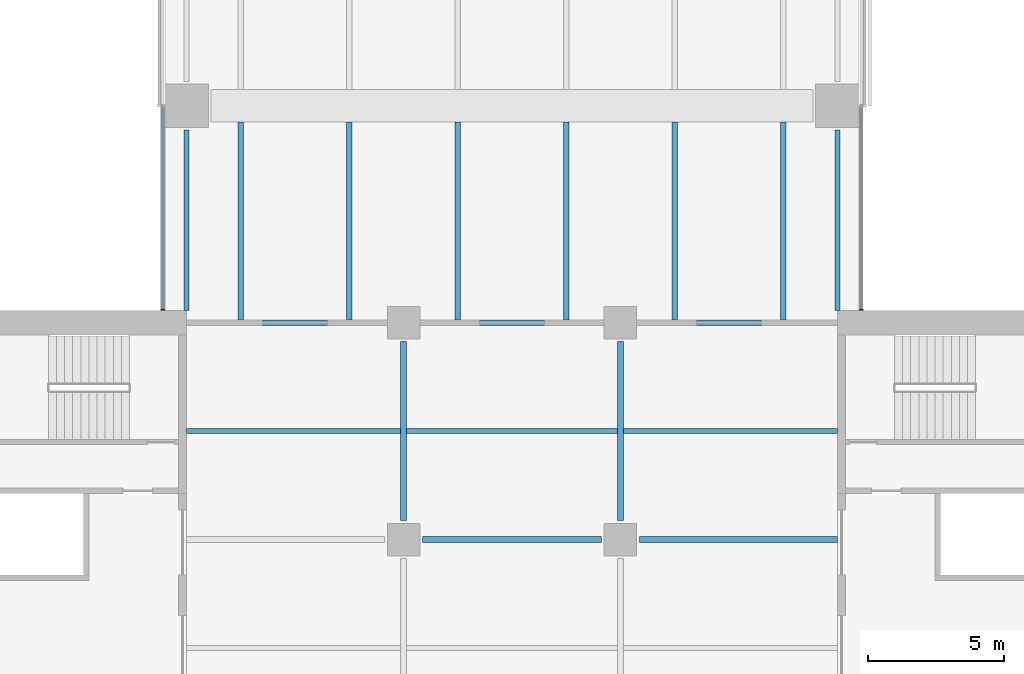
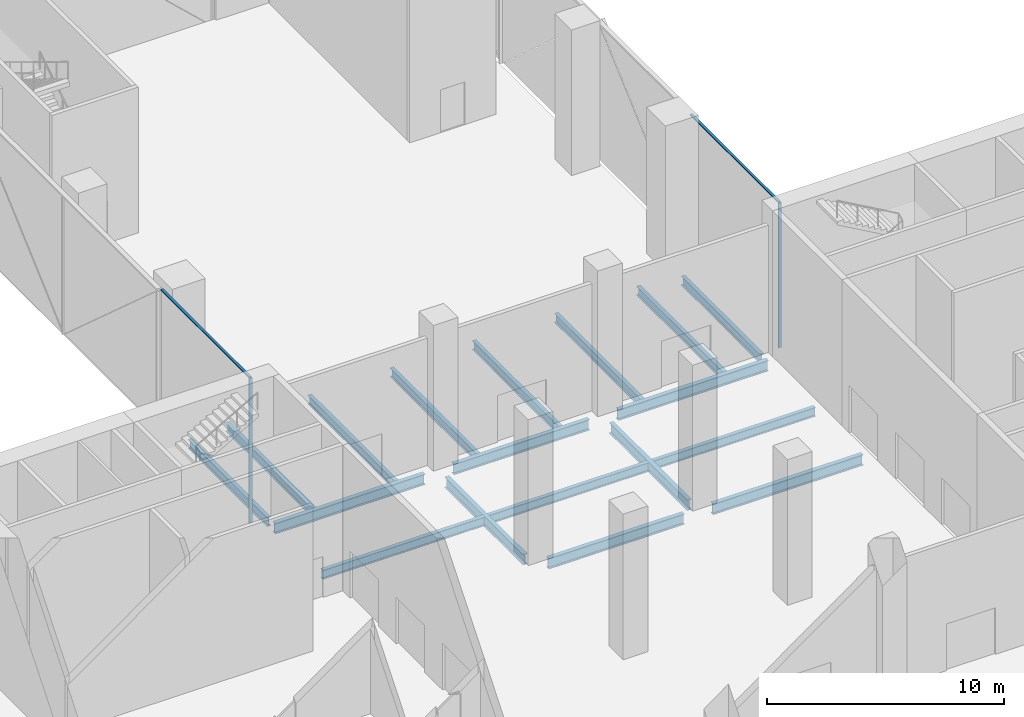
# One storey, part 6 of 25: 18 beams, 4 members, 2 elements without a shape of their own.
"""IFC4 building model written with IfcOpenShell, lengths in metres."""

from ifc_helpers import new_model, si_unit, direction, frame, origin, origin_2d, place, context, subcontext, project, spatial, rectangle, i_section, extrude, material, material_profile, profile_set, type_object, element, aggregate, save


model = new_model("IFC4")

# Units and contexts
model_context = context("Model", 3, precision=1e-05, world=origin(), true_north=direction((0.0, 1.0)))
body_context = subcontext(model_context, "Body", "Model", "MODEL_VIEW")
ifc_project = project(units=[si_unit("LENGTHUNIT", "METRE"), si_unit("AREAUNIT", "SQUARE_METRE"), si_unit("VOLUMEUNIT", "CUBIC_METRE"), si_unit("PLANEANGLEUNIT", "RADIAN"), si_unit("MASSUNIT", "GRAM", prefix="KILO")], contexts=[model_context])

# Site, building, storey
site_placement = place(None, origin())
site = spatial("IfcSite", under=ifc_project, at=site_placement, CompositionType="ELEMENT")
building_placement = place(site_placement, origin())
building = spatial("IfcBuilding", under=site, at=building_placement, Name="Crosswind Convention Tower", CompositionType="ELEMENT")
storey_placement = place(building_placement, frame((0.0, 0.0, 10.0)))
storey = spatial("IfcBuildingStorey", under=building, at=storey_placement, Name="L01", CompositionType="ELEMENT", Elevation=10.0)

# Beams
ifc_material_1 = material(Name="Steel S355", Category="steel")
ifc_material_profile_1 = material_profile(ifc_material_1, i_section(OverallWidth=0.19287109375, OverallDepth=0.467529296875, WebThickness=0.011474609375, FlangeThickness=0.01953125, FilletRadius=0.01025390625, at=origin_2d()), Name="UB 457x191x98")
ifc_profile_set_1 = profile_set([ifc_material_profile_1], Name="Steel S355")
beam_type_1 = type_object("IfcBeamType", Name="Edge beam UB 457x191x98", PredefinedType="SPANDREL", material=ifc_profile_set_1)
for number, where, z_axis, x_axis, name in (
    (1, (113.0, 112.449951171875, -0.6337890625), (0.0, 1.0, 0.0), (-1.0, 0.0, 0.0), "B20 L01 edge beam 9"),
    (2, (137.0, 112.449951171875, -0.6337890625), (0.0, 1.0, 0.0), (-1.0, 0.0, 0.0), "B20 L01 edge beam 17"),
):
    element("IfcBeam", number, at=place(storey_placement, frame(where, z_axis=z_axis, x_axis=x_axis)), inside=storey, type_object=beam_type_1, Name=name, PredefinedType="SPANDREL", context=body_context, shape_type="SweptSolid", body=[
        extrude(i_section(OverallWidth=0.19287109375, OverallDepth=0.467529296875, WebThickness=0.011474609375, FlangeThickness=0.01953125, FilletRadius=0.01025390625, at=origin_2d()), origin(), (0.0, 0.0, 1.0), 6.650146484375),
    ])
ifc_material_profile_2 = material_profile(ifc_material_1, i_section(OverallWidth=0.2119140625, OverallDepth=0.544677734375, WebThickness=0.0126953125, FlangeThickness=0.021240234375, FilletRadius=0.0126953125, at=origin_2d()), Name="UB 533x210x122")
ifc_profile_set_2 = profile_set([ifc_material_profile_2], Name="Steel S355")
beam_type_2 = type_object("IfcBeamType", Name="Girder UB 533x210x122", PredefinedType="BEAM", material=ifc_profile_set_2)
for number, where, z_axis, x_axis, name in (
    (3, (121.0, 104.699951171875, -0.67236328125), (0.0, 1.0, 0.0), (-1.0, 0.0, 0.0), "B6 L01 girder 3"),
    (4, (121.699951171875, 104.0, -0.67236328125), (1.0, 0.0, 0.0), (0.0, 1.0, 0.0), "B6 L01 girder 6"),
    (5, (121.699951171875, 112.0, -0.67236328125), (1.0, 0.0, 0.0), (0.0, 1.0, 0.0), "B6 L01 girder 7"),
    (6, (129.0, 104.699951171875, -0.67236328125), (0.0, 1.0, 0.0), (-1.0, 0.0, 0.0), "B6 L01 girder 10"),
):
    element("IfcBeam", number, at=place(storey_placement, frame(where, z_axis=z_axis, x_axis=x_axis)), inside=storey, type_object=beam_type_2, Name=name, PredefinedType="BEAM", context=body_context, shape_type="SweptSolid", body=[
        extrude(i_section(OverallWidth=0.2119140625, OverallDepth=0.544677734375, WebThickness=0.0126953125, FlangeThickness=0.021240234375, FilletRadius=0.0126953125, at=origin_2d()), origin(), (0.0, 0.0, 1.0), 6.60009765625),
    ])
ifc_material_profile_3 = material_profile(ifc_material_1, i_section(OverallWidth=0.214111328125, OverallDepth=0.549072265625, WebThickness=0.0146484375, FlangeThickness=0.023681640625, FilletRadius=0.0126953125, at=origin_2d()), Name="UB 533x210x138")
ifc_profile_set_3 = profile_set([ifc_material_profile_3], Name="Steel S355")
beam_type_3 = type_object("IfcBeamType", Name="Girder at core wall UB 533x210x138", PredefinedType="BEAM", material=ifc_profile_set_3)
for number, where, z_axis, x_axis, name in (
    (7, (113.0, 112.0, -0.674560546875), (1.0, 0.0, 0.0), (0.0, 1.0, 0.0), "B27 L01 girder at core wall 4"),
    (8, (129.699951171875, 104.0, -0.674560546875), (1.0, 0.0, 0.0), (0.0, 1.0, 0.0), "B27 L01 girder at core wall 7"),
    (9, (129.699951171875, 112.0, -0.674560546875), (1.0, 0.0, 0.0), (0.0, 1.0, 0.0), "B27 L01 girder at core wall 8"),
):
    element("IfcBeam", number, at=place(storey_placement, frame(where, z_axis=z_axis, x_axis=x_axis)), inside=storey, type_object=beam_type_3, Name=name, PredefinedType="BEAM", context=body_context, shape_type="SweptSolid", body=[
        extrude(i_section(OverallWidth=0.214111328125, OverallDepth=0.549072265625, WebThickness=0.0146484375, FlangeThickness=0.023681640625, FilletRadius=0.0126953125, at=origin_2d()), origin(), (0.0, 0.0, 1.0), 7.300048828125),
    ])

# Curtain wall, member
ifc_material_2 = material(Name="Aluminium unitised curtain wall", Category="aluminium")
curtain_wall_type = type_object("IfcCurtainWallType", Name="CORE END SLOT WALL 160", PredefinedType="USERDEFINED", material=ifc_material_2)
curtain_wall_1_placement = place(storey_placement, origin())
curtain_wall_1 = element("IfcCurtainWall", 10, at=curtain_wall_1_placement, inside=storey, type_object=curtain_wall_type, Name="CW6 L01 N-E.1-1 slot", ObjectType="UNITISED", PredefinedType="USERDEFINED")
ifc_material_3 = material(Name="Aluminium mullion", Category="aluminium")
ifc_material_profile_4 = material_profile(ifc_material_3, rectangle(XDim=0.159912109375, YDim=0.050048828125, at=origin_2d()), Name="AL 160X50")
ifc_profile_set_4 = profile_set([ifc_material_profile_4], Name="Aluminium mullion")
member_type_1 = type_object("IfcMemberType", Name="MULLION 50X160", PredefinedType="MULLION", material=ifc_profile_set_4)
member_1_placement = place(storey_placement, frame((137.8798828125, 112.47509765625, -0.39990234375), z_axis=(0.0, 0.0, 1.0), x_axis=(1.0, 0.0, 0.0)))
member_1 = element("IfcMember", 11, at=member_1_placement, type_object=member_type_1, Name="CW6 mullion 1", PredefinedType="MULLION", context=body_context, shape_type="SweptSolid", body=[
    extrude(rectangle(XDim=0.159912109375, YDim=0.050048828125, at=origin_2d()), origin(), (0.0, 0.0, 1.0), 7.449951171875),
])

curtain_wall_2_placement = place(storey_placement, origin())
curtain_wall_2 = element("IfcCurtainWall", 12, at=curtain_wall_2_placement, inside=storey, type_object=curtain_wall_type, Name="CW6 L01 N-W.1-4 slot", ObjectType="UNITISED", PredefinedType="USERDEFINED")
member_2_placement = place(storey_placement, frame((112.1201171875, 112.47509765625, -0.39990234375), z_axis=(0.0, 0.0, 1.0), x_axis=(-1.0, 0.0, 0.0)))
member_2 = element("IfcMember", 13, at=member_2_placement, type_object=member_type_1, Name="CW6 mullion 2", PredefinedType="MULLION", context=body_context, shape_type="SweptSolid", body=[
    extrude(rectangle(XDim=0.159912109375, YDim=0.050048828125, at=origin_2d()), origin(), (0.0, 0.0, 1.0), 7.449951171875),
])

# Beams
ifc_material_profile_5 = material_profile(ifc_material_1, i_section(OverallWidth=0.19140625, OverallDepth=0.460205078125, WebThickness=0.010009765625, FlangeThickness=0.01611328125, FilletRadius=0.01025390625, at=origin_2d()), Name="UB 457x191x82")
ifc_profile_set_5 = profile_set([ifc_material_profile_5], Name="Steel S355")
beam_type_4 = type_object("IfcBeamType", Name="Secondary beam UB 457x191x82", PredefinedType="JOIST", material=ifc_profile_set_5)
beam_1_placement = place(storey_placement, frame((113.0, 108.0, -0.630126953125), z_axis=(1.0, 0.0, 0.0), x_axis=(0.0, 1.0, 0.0)))
element("IfcBeam", 14, at=beam_1_placement, inside=storey, type_object=beam_type_4, Name="B13 L01 secondary beam 13", PredefinedType="JOIST", context=body_context, shape_type="SweptSolid", body=[
    extrude(i_section(OverallWidth=0.19140625, OverallDepth=0.460205078125, WebThickness=0.010009765625, FlangeThickness=0.01611328125, FilletRadius=0.01025390625, at=origin_2d()), origin(), (0.0, 0.0, 1.0), 7.89404296875),
])
for number, where, z_axis, x_axis, name in (
    (15, (115.0, 112.10693359375, -0.630126953125), (0.0, 1.0, 0.0), (-1.0, 0.0, 0.0), "B13 L01 secondary beam 17"),
    (16, (119.0, 112.10693359375, -0.630126953125), (0.0, 1.0, 0.0), (-1.0, 0.0, 0.0), "B13 L01 secondary beam 24"),
):
    element("IfcBeam", number, at=place(storey_placement, frame(where, z_axis=z_axis, x_axis=x_axis)), inside=storey, type_object=beam_type_4, Name=name, PredefinedType="JOIST", context=body_context, shape_type="SweptSolid", body=[
        extrude(i_section(OverallWidth=0.19140625, OverallDepth=0.460205078125, WebThickness=0.010009765625, FlangeThickness=0.01611328125, FilletRadius=0.01025390625, at=origin_2d()), origin(), (0.0, 0.0, 1.0), 7.29296875),
    ])
beam_2_placement = place(storey_placement, frame((121.10595703125, 108.0, -0.630126953125), z_axis=(1.0, 0.0, 0.0), x_axis=(0.0, 1.0, 0.0)))
element("IfcBeam", 17, at=beam_2_placement, inside=storey, type_object=beam_type_4, Name="B13 L01 secondary beam 30", PredefinedType="JOIST", context=body_context, shape_type="SweptSolid", body=[
    extrude(i_section(OverallWidth=0.19140625, OverallDepth=0.460205078125, WebThickness=0.010009765625, FlangeThickness=0.01611328125, FilletRadius=0.01025390625, at=origin_2d()), origin(), (0.0, 0.0, 1.0), 7.7880859375),
])
for number, where, z_axis, x_axis, name in (
    (18, (123.0, 112.10595703125, -0.630126953125), (0.0, 1.0, 0.0), (-1.0, 0.0, 0.0), "B13 L01 secondary beam 35"),
    (19, (127.0, 112.10595703125, -0.630126953125), (0.0, 1.0, 0.0), (-1.0, 0.0, 0.0), "B13 L01 secondary beam 43"),
):
    element("IfcBeam", number, at=place(storey_placement, frame(where, z_axis=z_axis, x_axis=x_axis)), inside=storey, type_object=beam_type_4, Name=name, PredefinedType="JOIST", context=body_context, shape_type="SweptSolid", body=[
        extrude(i_section(OverallWidth=0.19140625, OverallDepth=0.460205078125, WebThickness=0.010009765625, FlangeThickness=0.01611328125, FilletRadius=0.01025390625, at=origin_2d()), origin(), (0.0, 0.0, 1.0), 7.2939453125),
    ])
beam_3_placement = place(storey_placement, frame((129.10595703125, 108.0, -0.630126953125), z_axis=(1.0, 0.0, 0.0), x_axis=(0.0, 1.0, 0.0)))
element("IfcBeam", 20, at=beam_3_placement, inside=storey, type_object=beam_type_4, Name="B13 L01 secondary beam 49", PredefinedType="JOIST", context=body_context, shape_type="SweptSolid", body=[
    extrude(i_section(OverallWidth=0.19140625, OverallDepth=0.460205078125, WebThickness=0.010009765625, FlangeThickness=0.01611328125, FilletRadius=0.01025390625, at=origin_2d()), origin(), (0.0, 0.0, 1.0), 7.89404296875),
])
for number, where, z_axis, x_axis, name in (
    (21, (131.0, 112.10693359375, -0.630126953125), (0.0, 1.0, 0.0), (-1.0, 0.0, 0.0), "B13 L01 secondary beam 54"),
    (22, (135.0, 112.10693359375, -0.630126953125), (0.0, 1.0, 0.0), (-1.0, 0.0, 0.0), "B13 L01 secondary beam 61"),
):
    element("IfcBeam", number, at=place(storey_placement, frame(where, z_axis=z_axis, x_axis=x_axis)), inside=storey, type_object=beam_type_4, Name=name, PredefinedType="JOIST", context=body_context, shape_type="SweptSolid", body=[
        extrude(i_section(OverallWidth=0.19140625, OverallDepth=0.460205078125, WebThickness=0.010009765625, FlangeThickness=0.01611328125, FilletRadius=0.01025390625, at=origin_2d()), origin(), (0.0, 0.0, 1.0), 7.29296875),
    ])

# Member
ifc_material_4 = material(Name="Aluminium transom", Category="aluminium")
ifc_material_profile_6 = material_profile(ifc_material_4, rectangle(XDim=0.1201171875, YDim=0.050048828125, at=origin_2d()), Name="AL 120X50")
ifc_profile_set_6 = profile_set([ifc_material_profile_6], Name="Aluminium transom")
member_type_2 = type_object("IfcMemberType", Name="TRANSOM 50X120", PredefinedType="USERDEFINED", material=ifc_profile_set_6)
member_3_placement = place(storey_placement, frame((137.8798828125, 112.5, 7.074951171875), z_axis=(0.0, 1.0, 0.0), x_axis=(-1.0, 0.0, 0.0)))
member_3 = element("IfcMember", 23, at=member_3_placement, type_object=member_type_2, Name="CW6 transom", ObjectType="TRANSOM", PredefinedType="USERDEFINED", context=body_context, shape_type="SweptSolid", body=[
    extrude(rectangle(XDim=0.1201171875, YDim=0.050048828125, at=origin_2d()), origin(), (0.0, 0.0, 1.0), 7.449951171875),
])

aggregate(curtain_wall_1, [member_1, member_3])

member_4_placement = place(storey_placement, frame((112.1201171875, 119.949951171875, 7.074951171875), z_axis=(0.0, -1.0, 0.0), x_axis=(1.0, 0.0, 0.0)))
member_4 = element("IfcMember", 24, at=member_4_placement, type_object=member_type_2, Name="CW6 transom", ObjectType="TRANSOM", PredefinedType="USERDEFINED", context=body_context, shape_type="SweptSolid", body=[
    extrude(rectangle(XDim=0.1201171875, YDim=0.050048828125, at=origin_2d()), origin(), (0.0, 0.0, 1.0), 7.449951171875),
])

aggregate(curtain_wall_2, [member_2, member_4])

save(model, "model.ifc")
